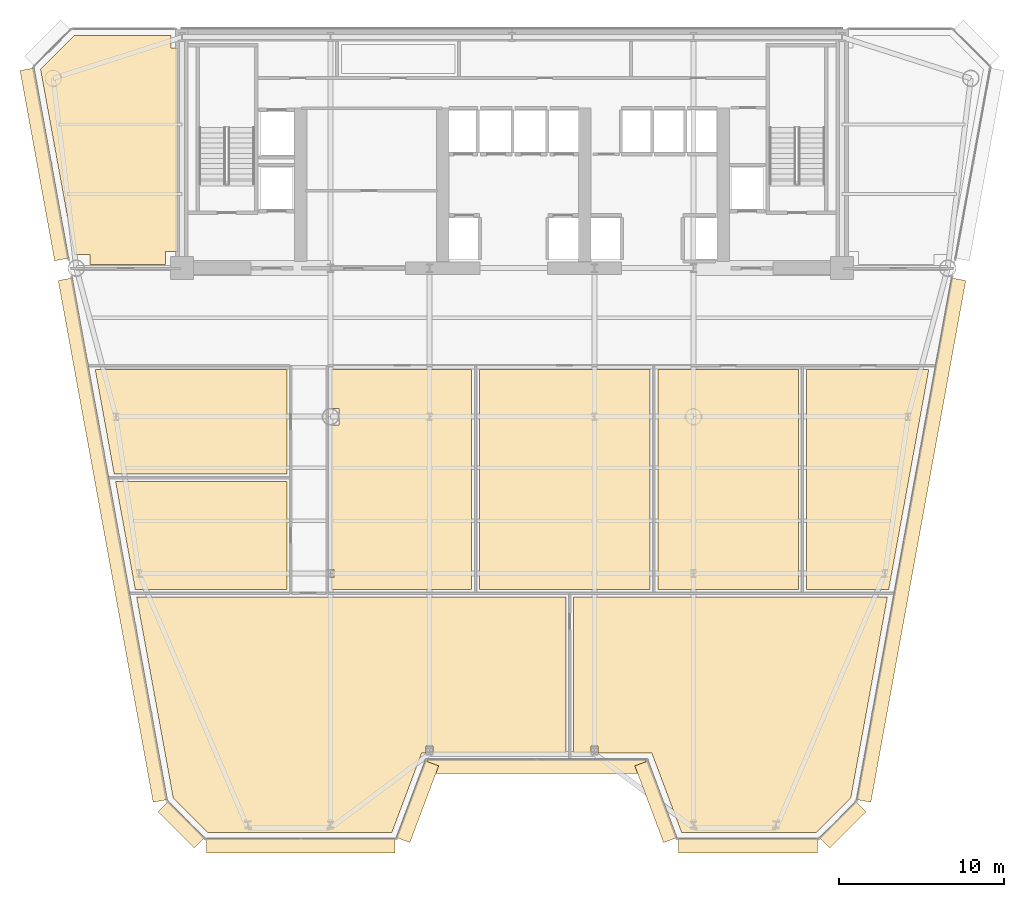
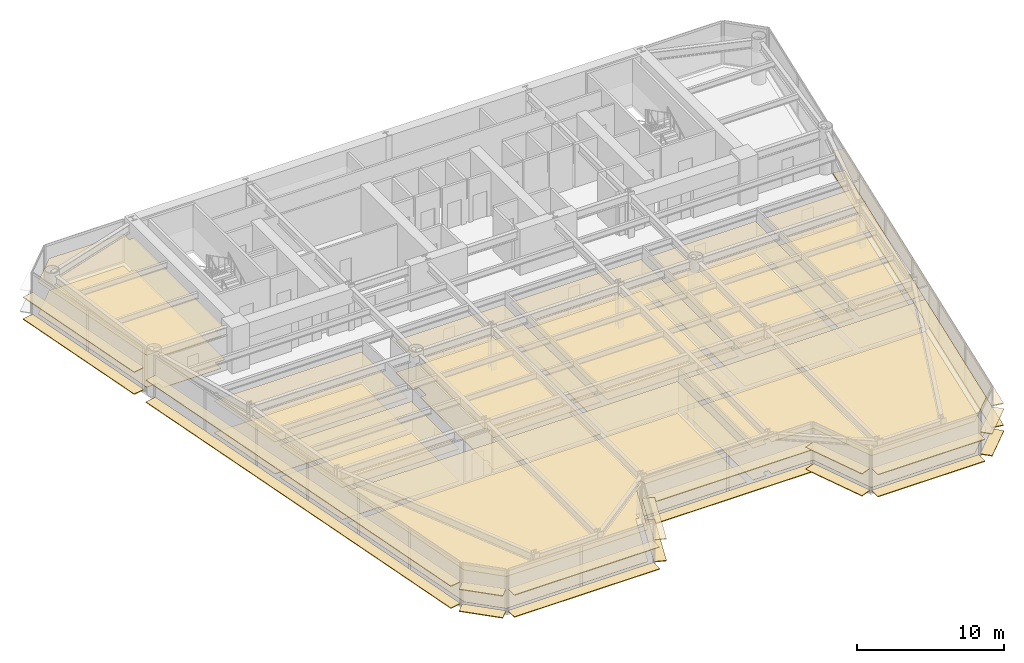
# One storey, part 11 of 14: 38 coverings.
"""IFC4 building model written with IfcOpenShell, lengths in metres."""

from ifc_helpers import new_model, si_unit, direction, frame, origin, origin_2d, place, context, subcontext, project, spatial, polyline, rectangle, outline, extrude, source, transform, mapped, material, layer, layer_set, type_object, element, save


model = new_model("IFC4")

# Units and contexts
model_context = context("Model", 3, precision=1e-05, world=origin(), true_north=direction((0.0, 1.0)))
body_context = subcontext(model_context, "Body", "Model", "MODEL_VIEW")
ifc_project = project(units=[si_unit("LENGTHUNIT", "METRE"), si_unit("AREAUNIT", "SQUARE_METRE"), si_unit("VOLUMEUNIT", "CUBIC_METRE"), si_unit("PLANEANGLEUNIT", "RADIAN"), si_unit("MASSUNIT", "GRAM", prefix="KILO")], contexts=[model_context])

# Site, building, storey
site_placement = place(None, origin())
site = spatial("IfcSite", under=ifc_project, at=site_placement, CompositionType="ELEMENT")
building_placement = place(site_placement, origin())
building = spatial("IfcBuilding", under=site, at=building_placement, Name="Vaeldorn Concourse Tower", CompositionType="ELEMENT")
storey_placement = place(building_placement, frame((0.0, 0.0, 114.800048828125)))
storey = spatial("IfcBuildingStorey", under=building, at=storey_placement, Name="L29", CompositionType="ELEMENT", Elevation=114.800048828125)

# Coverings
ifc_material_1 = material(Name="Acoustic Mineral Fibre Board", Category="gypsum")
ifc_layer_1 = layer(ifc_material_1, 0.0400390625)
ifc_layer_set_1 = layer_set([ifc_layer_1], Name="Acoustic Mineral Fibre Board")
covering_type_1 = type_object("IfcCoveringType", Name="COV-CEIL-ACOUSTIC", PredefinedType="CEILING", material=ifc_layer_set_1)
covering_1_placement = place(storey_placement, frame((0.0, 0.0, 2.64990234375)))
element("IfcCovering", 1, at=covering_1_placement, inside=storey, type_object=covering_type_1, Name="Suspended Acoustic Ceiling L29-3", PredefinedType="CEILING", context=body_context, shape_type="SweptSolid", body=[
    extrude(outline(polyline([(7.4658203125, 50.60009765625), (13.340087890625, 50.60009765625), (13.340087890625, 49.840087890625), (13.760009765625, 49.840087890625), (13.760009765625, 37.5), (13.0, 37.5), (13.0, 36.719970703125), (8.419921875, 36.719970703125), (8.419921875, 37.320068359375), (7.478515625, 37.320068359375), (5.43115234375, 48.5654296875), (7.4658203125, 50.60009765625)])), origin(), (0.0, 0.0, 1.0), 0.0400390625),
])
covering_2_placement = place(storey_placement, frame((0.0, 0.0, 2.64990234375)))
element("IfcCovering", 2, at=covering_2_placement, inside=storey, type_object=covering_type_1, Name="Suspended Acoustic Ceiling L29-5", PredefinedType="CEILING", context=body_context, shape_type="SweptSolid", body=[
    extrude(outline(polyline([(37.260009765625, 16.56005859375), (37.260009765625, 7.112548828125), (29.2119140625, 7.112548828125), (29.2119140625, 7.549560546875), (28.7880859375, 7.549560546875), (28.7880859375, 7.112548828125), (28.522705078125, 7.112548828125), (26.722900390625, 2.3125), (15.565185546875, 2.3125), (13.470458984375, 4.406982421875), (11.258056640625, 16.56005859375), (37.260009765625, 16.56005859375)])), origin(), (0.0, 0.0, 1.0), 0.0400390625),
])
covering_3_placement = place(storey_placement, frame((0.0, 0.0, 2.64990234375)))
element("IfcCovering", 3, at=covering_3_placement, inside=storey, type_object=covering_type_1, Name="Suspended Acoustic Ceiling L29-6", PredefinedType="CEILING", context=body_context, shape_type="SweptSolid", body=[
    extrude(outline(polyline([(37.739990234375, 16.56005859375), (56.741943359375, 16.56005859375), (54.529541015625, 4.406982421875), (52.434814453125, 2.3125), (44.277099609375, 2.3125), (42.477294921875, 7.112548828125), (39.2119140625, 7.112548828125), (39.2119140625, 7.549560546875), (38.7880859375, 7.549560546875), (38.7880859375, 7.112548828125), (37.739990234375, 7.112548828125), (37.739990234375, 16.56005859375)])), origin(), (0.0, 0.0, 1.0), 0.0400390625),
])
covering_4_placement = place(storey_placement, frame((0.0, 0.0, 2.64990234375)))
element("IfcCovering", 4, at=covering_4_placement, inside=storey, type_object=covering_type_1, Name="Suspended Acoustic Ceiling L29-7", PredefinedType="CEILING", context=body_context, shape_type="SweptSolid", body=[
    extrude(outline(polyline([(20.360107421875, 23.56005859375), (20.360107421875, 17.0400390625), (11.170654296875, 17.0400390625), (9.9833984375, 23.56005859375), (20.360107421875, 23.56005859375)])), origin(), (0.0, 0.0, 1.0), 0.0400390625),
])
covering_5_placement = place(storey_placement, frame((0.0, 0.0, 2.64990234375)))
element("IfcCovering", 5, at=covering_5_placement, inside=storey, type_object=covering_type_1, Name="Suspended Acoustic Ceiling L29-8", PredefinedType="CEILING", context=body_context, shape_type="SweptSolid", body=[
    extrude(outline(polyline([(20.360107421875, 30.360107421875), (20.360107421875, 24.0400390625), (9.896240234375, 24.0400390625), (8.74560546875, 30.360107421875), (20.360107421875, 30.360107421875)])), origin(), (0.0, 0.0, 1.0), 0.0400390625),
])
covering_6_placement = place(storey_placement, frame((0.0, 0.0, 2.64990234375)))
element("IfcCovering", 6, at=covering_6_placement, inside=storey, type_object=covering_type_1, Name="Suspended Acoustic Ceiling L29-9", PredefinedType="CEILING", context=body_context, shape_type="SweptSolid", body=[
    extrude(outline(polyline([(23.0400390625, 17.762939453125), (23.2119140625, 17.762939453125), (23.2119140625, 18.237060546875), (23.0400390625, 18.237060546875), (23.0400390625, 26.991943359375), (23.508056640625, 26.991943359375), (23.508056640625, 28.008056640625), (23.0400390625, 28.008056640625), (23.0400390625, 30.360107421875), (31.56005859375, 30.360107421875), (31.56005859375, 17.0400390625), (23.0400390625, 17.0400390625), (23.0400390625, 17.762939453125)])), origin(), (0.0, 0.0, 1.0), 0.0400390625),
])
covering_7_placement = place(storey_placement, frame((0.0, 0.0, 2.64990234375)))
element("IfcCovering", 7, at=covering_7_placement, inside=storey, type_object=covering_type_1, Name="Suspended Acoustic Ceiling L29-10", PredefinedType="CEILING", context=body_context, shape_type="SweptSolid", body=[
    extrude(outline(polyline([(32.0400390625, 30.360107421875), (42.360107421875, 30.360107421875), (42.360107421875, 17.0400390625), (32.0400390625, 17.0400390625), (32.0400390625, 30.360107421875)])), origin(), (0.0, 0.0, 1.0), 0.0400390625),
])
covering_8_placement = place(storey_placement, frame((0.0, 0.0, 2.64990234375)))
element("IfcCovering", 8, at=covering_8_placement, inside=storey, type_object=covering_type_1, Name="Suspended Acoustic Ceiling L29-11", PredefinedType="CEILING", context=body_context, shape_type="SweptSolid", body=[
    extrude(outline(polyline([(42.840087890625, 30.360107421875), (51.360107421875, 30.360107421875), (51.360107421875, 17.0400390625), (42.840087890625, 17.0400390625), (42.840087890625, 30.360107421875)])), origin(), (0.0, 0.0, 1.0), 0.0400390625),
])
covering_9_placement = place(storey_placement, frame((0.0, 0.0, 2.64990234375)))
element("IfcCovering", 9, at=covering_9_placement, inside=storey, type_object=covering_type_1, Name="Suspended Acoustic Ceiling L29-12", PredefinedType="CEILING", context=body_context, shape_type="SweptSolid", body=[
    extrude(outline(polyline([(51.840087890625, 17.0400390625), (51.840087890625, 30.360107421875), (59.25439453125, 30.360107421875), (56.829345703125, 17.0400390625), (51.840087890625, 17.0400390625)])), origin(), (0.0, 0.0, 1.0), 0.0400390625),
])
ifc_material_2 = material(Name="Honed Limestone Terrazzo Flooring", Category="masonry")
ifc_layer_2 = layer(ifc_material_2, 0.0400390625)
ifc_layer_set_2 = layer_set([ifc_layer_2], Name="Honed Limestone Terrazzo Flooring")
covering_type_2 = type_object("IfcCoveringType", Name="COV-FLOOR-STONE", PredefinedType="FLOORING", material=ifc_layer_set_2)
covering_10_placement = place(storey_placement, origin())
element("IfcCovering", 10, at=covering_10_placement, inside=storey, type_object=covering_type_2, Name="Floor Finish Covering L29-3", PredefinedType="FLOORING", context=body_context, shape_type="SweptSolid", body=[
    extrude(outline(polyline([(7.4658203125, 50.60009765625), (13.340087890625, 50.60009765625), (13.340087890625, 49.840087890625), (13.760009765625, 49.840087890625), (13.760009765625, 37.5), (13.0, 37.5), (13.0, 36.719970703125), (8.419921875, 36.719970703125), (8.419921875, 37.320068359375), (7.478515625, 37.320068359375), (5.43115234375, 48.5654296875), (7.4658203125, 50.60009765625)])), origin(), (0.0, 0.0, 1.0), 0.030029296875),
])
covering_11_placement = place(storey_placement, origin())
element("IfcCovering", 11, at=covering_11_placement, inside=storey, type_object=covering_type_2, Name="Floor Finish Covering L29-5", PredefinedType="FLOORING", context=body_context, shape_type="SweptSolid", body=[
    extrude(outline(polyline([(37.260009765625, 16.56005859375), (37.260009765625, 7.112548828125), (29.2119140625, 7.112548828125), (29.2119140625, 7.549560546875), (28.7880859375, 7.549560546875), (28.7880859375, 7.112548828125), (28.522705078125, 7.112548828125), (26.722900390625, 2.3125), (15.565185546875, 2.3125), (13.470458984375, 4.406982421875), (11.258056640625, 16.56005859375), (37.260009765625, 16.56005859375)])), origin(), (0.0, 0.0, 1.0), 0.030029296875),
])
covering_12_placement = place(storey_placement, origin())
element("IfcCovering", 12, at=covering_12_placement, inside=storey, type_object=covering_type_2, Name="Floor Finish Covering L29-6", PredefinedType="FLOORING", context=body_context, shape_type="SweptSolid", body=[
    extrude(outline(polyline([(37.739990234375, 16.56005859375), (56.741943359375, 16.56005859375), (54.529541015625, 4.406982421875), (52.434814453125, 2.3125), (44.277099609375, 2.3125), (42.477294921875, 7.112548828125), (39.2119140625, 7.112548828125), (39.2119140625, 7.549560546875), (38.7880859375, 7.549560546875), (38.7880859375, 7.112548828125), (37.739990234375, 7.112548828125), (37.739990234375, 16.56005859375)])), origin(), (0.0, 0.0, 1.0), 0.030029296875),
])
covering_13_placement = place(storey_placement, origin())
element("IfcCovering", 13, at=covering_13_placement, inside=storey, type_object=covering_type_2, Name="Floor Finish Covering L29-7", PredefinedType="FLOORING", context=body_context, shape_type="SweptSolid", body=[
    extrude(outline(polyline([(20.360107421875, 23.56005859375), (20.360107421875, 17.0400390625), (11.170654296875, 17.0400390625), (9.9833984375, 23.56005859375), (20.360107421875, 23.56005859375)])), origin(), (0.0, 0.0, 1.0), 0.030029296875),
])
covering_14_placement = place(storey_placement, origin())
element("IfcCovering", 14, at=covering_14_placement, inside=storey, type_object=covering_type_2, Name="Floor Finish Covering L29-8", PredefinedType="FLOORING", context=body_context, shape_type="SweptSolid", body=[
    extrude(outline(polyline([(20.360107421875, 30.360107421875), (20.360107421875, 24.0400390625), (9.896240234375, 24.0400390625), (8.74560546875, 30.360107421875), (20.360107421875, 30.360107421875)])), origin(), (0.0, 0.0, 1.0), 0.030029296875),
])
covering_15_placement = place(storey_placement, origin())
element("IfcCovering", 15, at=covering_15_placement, inside=storey, type_object=covering_type_2, Name="Floor Finish Covering L29-9", PredefinedType="FLOORING", context=body_context, shape_type="SweptSolid", body=[
    extrude(outline(polyline([(23.0400390625, 17.762939453125), (23.2119140625, 17.762939453125), (23.2119140625, 18.237060546875), (23.0400390625, 18.237060546875), (23.0400390625, 26.991943359375), (23.508056640625, 26.991943359375), (23.508056640625, 28.008056640625), (23.0400390625, 28.008056640625), (23.0400390625, 30.360107421875), (31.56005859375, 30.360107421875), (31.56005859375, 17.0400390625), (23.0400390625, 17.0400390625), (23.0400390625, 17.762939453125)])), origin(), (0.0, 0.0, 1.0), 0.030029296875),
])
covering_16_placement = place(storey_placement, origin())
element("IfcCovering", 16, at=covering_16_placement, inside=storey, type_object=covering_type_2, Name="Floor Finish Covering L29-10", PredefinedType="FLOORING", context=body_context, shape_type="SweptSolid", body=[
    extrude(outline(polyline([(32.0400390625, 30.360107421875), (42.360107421875, 30.360107421875), (42.360107421875, 17.0400390625), (32.0400390625, 17.0400390625), (32.0400390625, 30.360107421875)])), origin(), (0.0, 0.0, 1.0), 0.030029296875),
])
covering_17_placement = place(storey_placement, origin())
element("IfcCovering", 17, at=covering_17_placement, inside=storey, type_object=covering_type_2, Name="Floor Finish Covering L29-11", PredefinedType="FLOORING", context=body_context, shape_type="SweptSolid", body=[
    extrude(outline(polyline([(42.840087890625, 30.360107421875), (51.360107421875, 30.360107421875), (51.360107421875, 17.0400390625), (42.840087890625, 17.0400390625), (42.840087890625, 30.360107421875)])), origin(), (0.0, 0.0, 1.0), 0.030029296875),
])
covering_18_placement = place(storey_placement, origin())
element("IfcCovering", 18, at=covering_18_placement, inside=storey, type_object=covering_type_2, Name="Floor Finish Covering L29-12", PredefinedType="FLOORING", context=body_context, shape_type="SweptSolid", body=[
    extrude(outline(polyline([(51.840087890625, 17.0400390625), (51.840087890625, 30.360107421875), (59.25439453125, 30.360107421875), (56.829345703125, 17.0400390625), (51.840087890625, 17.0400390625)])), origin(), (0.0, 0.0, 1.0), 0.030029296875),
])
ifc_material_3 = material(Name="Anodised Bronze Aluminium", Category="aluminium")
ifc_layer_3 = layer(ifc_material_3, 0.06494140625)
ifc_layer_set_3 = layer_set([ifc_layer_3], Name="Anodised Bronze Aluminium")
covering_type_3 = type_object("IfcCoveringType", Name="SD-BRONZE-SUNSHADE", PredefinedType="USERDEFINED", material=ifc_layer_set_3)
shared_shape_1 = source(origin(), body_context, "Body", "SweptSolid", [
    extrude(rectangle(XDim=4.96630859375, YDim=0.8798828125, at=origin_2d()), origin(), (0.0, 0.0, 1.0), 0.06494140625),
])
for number, where, z_axis, x_axis, name in (
    (19, (28.2744140625, 4.172119140625, 0.04736328125), (0.0, 0.0, 1.0), (0.351122702609, 0.936329454686, 0.0), "Horizontal Bronze Sunshade L29-E02.1.1"),
    (20, (28.2744140625, 4.172119140625, 1.867431640625), (0.0, 0.0, 1.0), (0.351122702609, 0.936329454686, 0.0), "Horizontal Bronze Sunshade L29-E02.1.2"),
    (21, (42.7255859375, 4.172119140625, 0.04736328125), (0.0, 0.0, 1.0), (0.351122702609, -0.936329454686, 0.0), "Horizontal Bronze Sunshade L29-E04.1.1"),
    (22, (42.7255859375, 4.172119140625, 1.867431640625), (0.0, 0.0, 1.0), (0.351122702609, -0.936329454686, 0.0), "Horizontal Bronze Sunshade L29-E04.1.2"),
):
    element("IfcCovering", number, at=place(storey_placement, frame(where, z_axis=z_axis, x_axis=x_axis)), inside=storey, type_object=covering_type_3, Name=name, ObjectType="SUNSHADE", PredefinedType="USERDEFINED", context=body_context, shape_type="MappedRepresentation", body=[
        mapped(shared_shape_1, transform((0.0, 0.0, 0.0), scale=1.0)),
    ])
shared_shape_2 = source(origin(), body_context, "Body", "SweptSolid", [
    extrude(rectangle(XDim=13.239990234375, YDim=0.8798828125, at=origin_2d()), origin(), (0.0, 0.0, 1.0), 0.06494140625),
])
for number, where, z_axis, x_axis, name in (
    (23, (35.5, 6.3125, 0.04736328125), (0.0, 0.0, 1.0), (1.0, 0.0, 0.0), "Horizontal Bronze Sunshade L29-E03.1.1"),
    (24, (35.5, 6.3125, 1.867431640625), (0.0, 0.0, 1.0), (1.0, 0.0, 0.0), "Horizontal Bronze Sunshade L29-E03.1.2"),
):
    element("IfcCovering", number, at=place(storey_placement, frame(where, z_axis=z_axis, x_axis=x_axis)), inside=storey, type_object=covering_type_3, Name=name, ObjectType="SUNSHADE", PredefinedType="USERDEFINED", context=body_context, shape_type="MappedRepresentation", body=[
        mapped(shared_shape_2, transform((0.0, 0.0, 0.0), scale=1.0)),
    ])
shared_shape_3 = source(origin(), body_context, "Body", "SweptSolid", [
    extrude(rectangle(XDim=3.0927734375, YDim=0.8798828125, at=origin_2d()), origin(), (0.0, 0.0, 1.0), 0.06494140625),
])
for number, where, z_axis, x_axis, name in (
    (25, (54.033447265625, 2.77978515625, 0.04736328125), (0.0, 0.0, 1.0), (0.707106781187, 0.707106781187, 0.0), "Horizontal Bronze Sunshade L29-E06.1.1"),
    (26, (54.033447265625, 2.77978515625, 1.867431640625), (0.0, 0.0, 1.0), (0.707106781187, 0.707106781187, 0.0), "Horizontal Bronze Sunshade L29-E06.1.2"),
    (27, (13.966552734375, 2.77978515625, 0.04736328125), (0.0, 0.0, 1.0), (0.707106781187, -0.707106781187, 0.0), "Horizontal Bronze Sunshade L29-E12.1.1"),
    (28, (13.966552734375, 2.77978515625, 1.867431640625), (0.0, 0.0, 1.0), (0.707106781187, -0.707106781187, 0.0), "Horizontal Bronze Sunshade L29-E12.1.2"),
):
    element("IfcCovering", number, at=place(storey_placement, frame(where, z_axis=z_axis, x_axis=x_axis)), inside=storey, type_object=covering_type_3, Name=name, ObjectType="SUNSHADE", PredefinedType="USERDEFINED", context=body_context, shape_type="MappedRepresentation", body=[
        mapped(shared_shape_3, transform((0.0, 0.0, 0.0), scale=1.0)),
    ])
shared_shape_4 = source(origin(), body_context, "Body", "SweptSolid", [
    extrude(rectangle(XDim=11.440673828125, YDim=0.8798828125, at=origin_2d()), origin(), (0.0, 0.0, 1.0), 0.06494140625),
])
for number, where, z_axis, x_axis, name in (
    (29, (21.19970703125, 1.5126953125, 0.04736328125), (0.0, 0.0, 1.0), (1.0, 0.0, 0.0), "Horizontal Bronze Sunshade L29-E01.1.1"),
    (30, (21.19970703125, 1.5126953125, 1.867431640625), (0.0, 0.0, 1.0), (1.0, 0.0, 0.0), "Horizontal Bronze Sunshade L29-E01.1.2"),
):
    element("IfcCovering", number, at=place(storey_placement, frame(where, z_axis=z_axis, x_axis=x_axis)), inside=storey, type_object=covering_type_3, Name=name, ObjectType="SUNSHADE", PredefinedType="USERDEFINED", context=body_context, shape_type="MappedRepresentation", body=[
        mapped(shared_shape_4, transform((0.0, 0.0, 0.0), scale=1.0)),
    ])
shared_shape_5 = source(origin(), body_context, "Body", "SweptSolid", [
    extrude(rectangle(XDim=8.440673828125, YDim=0.8798828125, at=origin_2d()), origin(), (0.0, 0.0, 1.0), 0.06494140625),
])
for number, where, z_axis, x_axis, name in (
    (31, (48.30029296875, 1.5126953125, 0.04736328125), (0.0, 0.0, 1.0), (1.0, 0.0, 0.0), "Horizontal Bronze Sunshade L29-E05.1.1"),
    (32, (48.30029296875, 1.5126953125, 1.867431640625), (0.0, 0.0, 1.0), (1.0, 0.0, 0.0), "Horizontal Bronze Sunshade L29-E05.1.2"),
):
    element("IfcCovering", number, at=place(storey_placement, frame(where, z_axis=z_axis, x_axis=x_axis)), inside=storey, type_object=covering_type_3, Name=name, ObjectType="SUNSHADE", PredefinedType="USERDEFINED", context=body_context, shape_type="MappedRepresentation", body=[
        mapped(shared_shape_5, transform((0.0, 0.0, 0.0), scale=1.0)),
    ])
shared_shape_6 = source(origin(), body_context, "Body", "SweptSolid", [
    extrude(rectangle(XDim=11.714111328125, YDim=0.8798828125, at=origin_2d()), origin(), (0.0, 0.0, 1.0), 0.06494140625),
])
for number, where, z_axis, x_axis, name in (
    (33, (5.669921875, 42.787353515625, 0.04736328125), (0.0, 0.0, 1.0), (0.179111302888, -0.983828817009, 0.0), "Horizontal Bronze Sunshade L29-E11.1.1"),
    (34, (5.669921875, 42.787353515625, 1.867431640625), (0.0, 0.0, 1.0), (0.179111302888, -0.983828817009, 0.0), "Horizontal Bronze Sunshade L29-E11.1.2"),
):
    element("IfcCovering", number, at=place(storey_placement, frame(where, z_axis=z_axis, x_axis=x_axis)), inside=storey, type_object=covering_type_3, Name=name, ObjectType="SUNSHADE", PredefinedType="USERDEFINED", context=body_context, shape_type="MappedRepresentation", body=[
        mapped(shared_shape_6, transform((0.0, 0.0, 0.0), scale=1.0)),
    ])
shared_shape_7 = source(origin(), body_context, "Body", "SweptSolid", [
    extrude(rectangle(XDim=32.131591796875, YDim=0.8798828125, at=origin_2d()), origin(), (0.0, 0.0, 1.0), 0.06494140625),
])
for number, where, z_axis, x_axis, name in (
    (35, (58.18603515625, 20.025634765625, 0.04736328125), (0.0, 0.0, 1.0), (0.179111302888, 0.983828817009, 0.0), "Horizontal Bronze Sunshade L29-E07.1.1"),
    (36, (58.18603515625, 20.025634765625, 1.867431640625), (0.0, 0.0, 1.0), (0.179111302888, 0.983828817009, 0.0), "Horizontal Bronze Sunshade L29-E07.1.2"),
    (37, (9.81396484375, 20.025634765625, 0.04736328125), (0.0, 0.0, 1.0), (0.179111302888, -0.983828817009, 0.0), "Horizontal Bronze Sunshade L29-E11.2.1"),
    (38, (9.81396484375, 20.025634765625, 1.867431640625), (0.0, 0.0, 1.0), (0.179111302888, -0.983828817009, 0.0), "Horizontal Bronze Sunshade L29-E11.2.2"),
):
    element("IfcCovering", number, at=place(storey_placement, frame(where, z_axis=z_axis, x_axis=x_axis)), inside=storey, type_object=covering_type_3, Name=name, ObjectType="SUNSHADE", PredefinedType="USERDEFINED", context=body_context, shape_type="MappedRepresentation", body=[
        mapped(shared_shape_7, transform((0.0, 0.0, 0.0), scale=1.0)),
    ])

save(model, "model.ifc")
